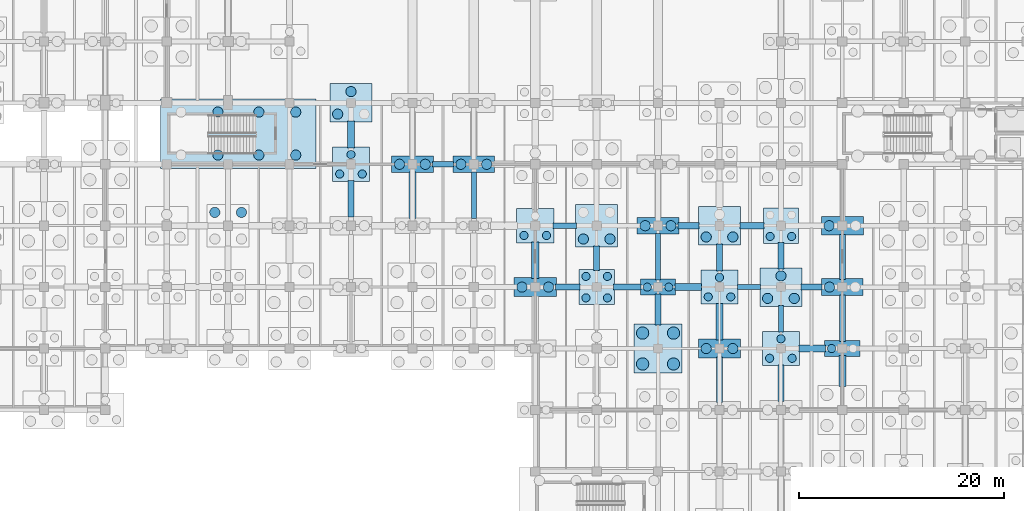
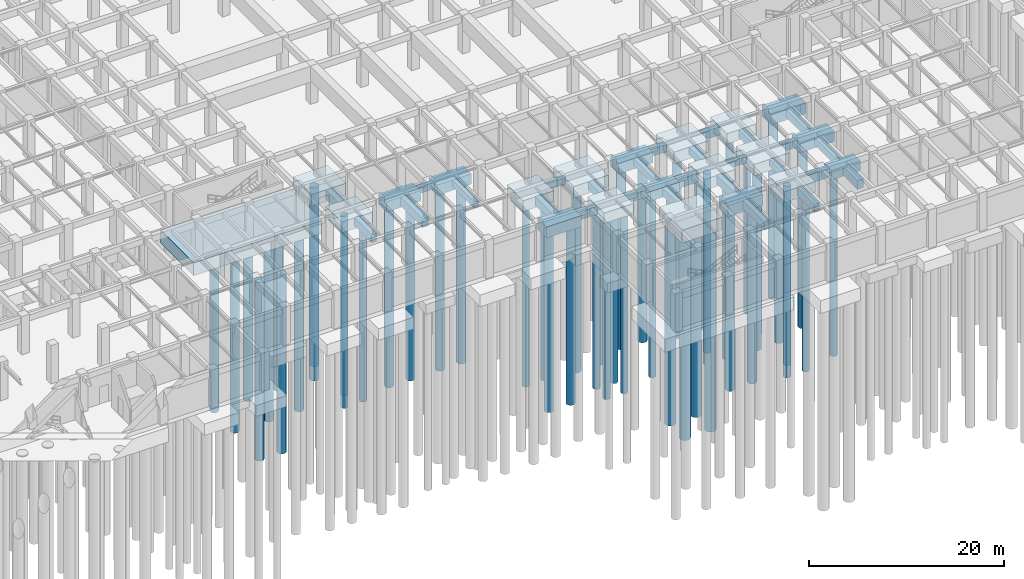
# One storey, part 6 of 54: 53 piles, 48 footings.
"""IFC4 building model written with IfcOpenShell, lengths in metres."""

from ifc_helpers import new_model, si_unit, direction, frame, origin, origin_2d, place, context, subcontext, project, spatial, rectangle, circle, extrude, material, material_profile, profile_set, type_object, element, save


model = new_model("IFC4")

# Units and contexts
model_context = context("Model", 3, precision=1e-05, world=origin(), true_north=direction((0.0, 1.0)))
body_context = subcontext(model_context, "Body", "Model", "MODEL_VIEW")
ifc_project = project(units=[si_unit("LENGTHUNIT", "METRE"), si_unit("AREAUNIT", "SQUARE_METRE"), si_unit("VOLUMEUNIT", "CUBIC_METRE"), si_unit("PLANEANGLEUNIT", "RADIAN"), si_unit("MASSUNIT", "GRAM", prefix="KILO"), si_unit("THERMODYNAMICTEMPERATUREUNIT", "KELVIN"), si_unit("POWERUNIT", "WATT")], contexts=[model_context])

# Site, building, storey
site_placement = place(None, origin())
site = spatial("IfcSite", under=ifc_project, at=site_placement, CompositionType="ELEMENT")
building_placement = place(site_placement, origin())
building = spatial("IfcBuilding", under=site, at=building_placement, Name="Phaisarnlok Congress Hotel", CompositionType="ELEMENT")
storey_placement = place(building_placement, frame((0.0, 0.0, -4.800048828125)))
storey = spatial("IfcBuildingStorey", under=building, at=storey_placement, Name="B01", CompositionType="ELEMENT", Elevation=-4.800048828125)

# Footings
ifc_material_1 = material(Name="Concrete C40/50", Category="concrete")
footing_type_1 = type_object("IfcFootingType", Name="CAP-2P-A", PredefinedType="PILE_CAP", material=ifc_material_1)
for number, where, z_axis, x_axis, name in (
    (1, (108.0, 24.0, -1.69970703125), (0.0, 0.0, 1.0), (1.0, 0.0, 0.0), "Pile cap PC-01 at (108,24)"),
    (2, (126.0, 18.0, -1.69970703125), (0.0, 0.0, 1.0), (1.0, 0.0, 0.0), "Pile cap PC-01 at (126,18)"),
):
    element("IfcFooting", number, at=place(storey_placement, frame(where, z_axis=z_axis, x_axis=x_axis)), inside=storey, type_object=footing_type_1, Name=name, PredefinedType="PILE_CAP", context=body_context, shape_type="SweptSolid", body=[
        extrude(rectangle(XDim=3.43994140625, YDim=1.5400390625, at=origin_2d()), origin(), (0.0, 0.0, 1.0), 1.199951171875),
    ])
footing_type_2 = type_object("IfcFootingType", Name="CAP-2P-B", PredefinedType="PILE_CAP", material=ifc_material_1)
for number, where, z_axis, x_axis, name in (
    (3, (84.0, 36.0, -1.7998046875), (0.0, 0.0, 1.0), (1.0, 0.0, 0.0), "Pile cap PC-02 at (84,36)"),
    (4, (90.0, 36.0, -1.7998046875), (0.0, 0.0, 1.0), (1.0, 0.0, 0.0), "Pile cap PC-02 at (90,36)"),
    (5, (108.0, 30.0, -1.7998046875), (0.0, 0.0, 1.0), (1.0, 0.0, 0.0), "Pile cap PC-02 at (108,30)"),
    (6, (126.0, 24.0, -1.7998046875), (0.0, 0.0, 1.0), (1.0, 0.0, 0.0), "Pile cap PC-02 at (126,24)"),
):
    element("IfcFooting", number, at=place(storey_placement, frame(where, z_axis=z_axis, x_axis=x_axis)), inside=storey, type_object=footing_type_2, Name=name, PredefinedType="PILE_CAP", context=body_context, shape_type="SweptSolid", body=[
        extrude(rectangle(XDim=4.080078125, YDim=1.639892578125, at=origin_2d()), origin(), (0.0, 0.0, 1.0), 1.300048828125),
    ])
footing_type_3 = type_object("IfcFootingType", Name="CAP-2P-C", PredefinedType="PILE_CAP", material=ifc_material_1)
for number, where, z_axis, x_axis, name in (
    (7, (96.0, 24.0, -1.89990234375), (0.0, 0.0, 1.0), (1.0, 0.0, 0.0), "Pile cap PC-03 at (96,24)"),
    (8, (114.0, 18.0, -1.89990234375), (0.0, 0.0, 1.0), (1.0, 0.0, 0.0), "Pile cap PC-03 at (114,18)"),
    (9, (126.0, 30.0, -1.89990234375), (0.0, 0.0, 1.0), (1.0, 0.0, 0.0), "Pile cap PC-03 at (126,30)"),
):
    element("IfcFooting", number, at=place(storey_placement, frame(where, z_axis=z_axis, x_axis=x_axis)), inside=storey, type_object=footing_type_3, Name=name, PredefinedType="PILE_CAP", context=body_context, shape_type="SweptSolid", body=[
        extrude(rectangle(XDim=4.1201171875, YDim=1.840087890625, at=origin_2d()), origin(), (0.0, 0.0, 1.0), 1.39990234375),
    ])
footing_type_4 = type_object("IfcFootingType", Name="CAP-3P-A", PredefinedType="PILE_CAP", material=ifc_material_1)
for number, where, z_axis, x_axis, name in (
    (10, (78.0, 36.0, -1.85009765625), (0.0, 0.0, 1.0), (1.0, 0.0, 0.0), "Pile cap PC-04 at (78,36)"),
    (11, (96.0, 30.0, -1.85009765625), (0.0, 0.0, 1.0), (1.0, 0.0, 0.0), "Pile cap PC-04 at (96,30)"),
    (12, (114.0, 24.0, -1.85009765625), (0.0, 0.0, 1.0), (1.0, 0.0, 0.0), "Pile cap PC-04 at (114,24)"),
    (13, (120.0, 18.0, -1.85009765625), (0.0, 0.0, 1.0), (1.0, 0.0, 0.0), "Pile cap PC-04 at (120,18)"),
):
    element("IfcFooting", number, at=place(storey_placement, frame(where, z_axis=z_axis, x_axis=x_axis)), inside=storey, type_object=footing_type_4, Name=name, PredefinedType="PILE_CAP", context=body_context, shape_type="SweptSolid", body=[
        extrude(rectangle(XDim=3.639892578125, YDim=3.340087890625, at=origin_2d()), origin(), (0.0, 0.0, 1.0), 1.35009765625),
    ])
footing_type_5 = type_object("IfcFootingType", Name="CAP-3P-B", PredefinedType="PILE_CAP", material=ifc_material_1)
for number, where, z_axis, x_axis, name in (
    (14, (78.0, 42.0, -1.94970703125), (0.0, 0.0, 1.0), (1.0, 0.0, 0.0), "Pile cap PC-05 at (78,42)"),
    (15, (114.0, 30.0, -1.94970703125), (0.0, 0.0, 1.0), (1.0, 0.0, 0.0), "Pile cap PC-05 at (114,30)"),
    (16, (120.0, 24.0, -1.94970703125), (0.0, 0.0, 1.0), (1.0, 0.0, 0.0), "Pile cap PC-05 at (120,24)"),
):
    element("IfcFooting", number, at=place(storey_placement, frame(where, z_axis=z_axis, x_axis=x_axis)), inside=storey, type_object=footing_type_5, Name=name, PredefinedType="PILE_CAP", context=body_context, shape_type="SweptSolid", body=[
        extrude(rectangle(XDim=4.1201171875, YDim=3.739990234375, at=origin_2d()), origin(), (0.0, 0.0, 1.0), 1.449951171875),
    ])
footing_type_6 = type_object("IfcFootingType", Name="CAP-4P-A", PredefinedType="PILE_CAP", material=ifc_material_1)
for number, where, z_axis, x_axis, name in (
    (17, (102.0, 24.0, -1.7998046875), (0.0, 0.0, 1.0), (1.0, 0.0, 0.0), "Pile cap PC-06 at (102,24)"),
    (18, (120.0, 30.0, -1.7998046875), (0.0, 0.0, 1.0), (1.0, 0.0, 0.0), "Pile cap PC-06 at (120,30)"),
):
    element("IfcFooting", number, at=place(storey_placement, frame(where, z_axis=z_axis, x_axis=x_axis)), inside=storey, type_object=footing_type_6, Name=name, PredefinedType="PILE_CAP", context=body_context, shape_type="SweptSolid", body=[
        extrude(rectangle(XDim=3.43994140625, YDim=3.43994140625, at=origin_2d()), origin(), (0.0, 0.0, 1.0), 1.300048828125),
    ])
footing_type_7 = type_object("IfcFootingType", Name="CAP-4P-B", PredefinedType="PILE_CAP", material=ifc_material_1)
footing_1_placement = place(storey_placement, frame((102.0, 30.0, -1.94970703125), z_axis=(0.0, 0.0, 1.0), x_axis=(1.0, 0.0, 0.0)))
element("IfcFooting", 19, at=footing_1_placement, inside=storey, type_object=footing_type_7, Name="Pile cap PC-07 at (102,30)", PredefinedType="PILE_CAP", context=body_context, shape_type="SweptSolid", body=[
    extrude(rectangle(XDim=4.1201171875, YDim=4.1201171875, at=origin_2d()), origin(), (0.0, 0.0, 1.0), 1.449951171875),
])
footing_type_8 = type_object("IfcFootingType", Name="CAP-4P-C", PredefinedType="PILE_CAP", material=ifc_material_1)
footing_2_placement = place(storey_placement, frame((108.0, 18.0, -2.10009765625), z_axis=(0.0, 0.0, 1.0), x_axis=(1.0, 0.0, 0.0)))
element("IfcFooting", 20, at=footing_2_placement, inside=storey, type_object=footing_type_8, Name="Pile cap PC-08 at (108,18)", PredefinedType="PILE_CAP", context=body_context, shape_type="SweptSolid", body=[
    extrude(rectangle(XDim=4.719970703125, YDim=4.760009765625, at=origin_2d()), origin(), (0.0, 0.0, 1.0), 1.60009765625),
])
footing_type_9 = type_object("IfcFootingType", Name="CAP-STAIR-H", PredefinedType="PILE_CAP", material=ifc_material_1)
footing_3_placement = place(storey_placement, frame((67.0, 39.0, -2.10009765625), z_axis=(0.0, 0.0, 1.0), x_axis=(1.0, 0.0, 0.0)))
element("IfcFooting", 21, at=footing_3_placement, inside=storey, type_object=footing_type_9, Name="Stair core pile cap PC-17 (STAIR-POD-S)", PredefinedType="PILE_CAP", context=body_context, shape_type="SweptSolid", body=[
    extrude(rectangle(XDim=15.199951171875, YDim=6.800048828125, at=origin_2d()), origin(), (0.0, 0.0, 1.0), 1.60009765625),
])
ifc_material_profile_1 = material_profile(ifc_material_1, rectangle(XDim=0.5, YDim=0.800048828125, at=origin_2d()), Name="FB-500x800")
ifc_profile_set_1 = profile_set([ifc_material_profile_1], Name="Concrete C40/50")
footing_type_10 = type_object("IfcFootingType", Name="FB-500x800", PredefinedType="FOOTING_BEAM", material=ifc_profile_set_1)
footing_4_placement = place(storey_placement, frame((85.965087890625, 36.0, -0.89990234375), z_axis=(1.0, 0.0, 0.0), x_axis=(0.0, 1.0, 0.0)))
element("IfcFooting", 22, at=footing_4_placement, inside=storey, type_object=footing_type_10, Name="Ground tie beam FB-01", PredefinedType="FOOTING_BEAM", context=body_context, shape_type="SweptSolid", body=[
    extrude(rectangle(XDim=0.5, YDim=0.800048828125, at=origin_2d()), origin(), (0.0, 0.0, 1.0), 2.06982421875),
])
footing_5_placement = place(storey_placement, frame((90.0, 30.695068359375, -0.89990234375), z_axis=(0.0, 1.0, 0.0), x_axis=(-1.0, 0.0, 0.0)))
element("IfcFooting", 23, at=footing_5_placement, inside=storey, type_object=footing_type_10, Name="Ground tie beam FB-01", PredefinedType="FOOTING_BEAM", context=body_context, shape_type="SweptSolid", body=[
    extrude(rectangle(XDim=0.5, YDim=0.800048828125, at=origin_2d()), origin(), (0.0, 0.0, 1.0), 4.559814453125),
])
footing_6_placement = place(storey_placement, frame((97.7451171875, 30.0, -0.89990234375), z_axis=(1.0, 0.0, 0.0), x_axis=(0.0, 1.0, 0.0)))
element("IfcFooting", 24, at=footing_6_placement, inside=storey, type_object=footing_type_10, Name="Ground tie beam FB-01", PredefinedType="FOOTING_BEAM", context=body_context, shape_type="SweptSolid", body=[
    extrude(rectangle(XDim=0.5, YDim=0.800048828125, at=origin_2d()), origin(), (0.0, 0.0, 1.0), 2.269775390625),
])
footing_7_placement = place(storey_placement, frame((108.0, 24.695068359375, -0.89990234375), z_axis=(0.0, 1.0, 0.0), x_axis=(-1.0, 0.0, 0.0)))
element("IfcFooting", 25, at=footing_7_placement, inside=storey, type_object=footing_type_10, Name="Ground tie beam FB-01", PredefinedType="FOOTING_BEAM", context=body_context, shape_type="SweptSolid", body=[
    extrude(rectangle(XDim=0.5, YDim=0.800048828125, at=origin_2d()), origin(), (0.0, 0.0, 1.0), 4.559814453125),
])
footing_8_placement = place(storey_placement, frame((115.7451171875, 24.0, -0.89990234375), z_axis=(1.0, 0.0, 0.0), x_axis=(0.0, 1.0, 0.0)))
element("IfcFooting", 26, at=footing_8_placement, inside=storey, type_object=footing_type_10, Name="Ground tie beam FB-01", PredefinedType="FOOTING_BEAM", context=body_context, shape_type="SweptSolid", body=[
    extrude(rectangle(XDim=0.5, YDim=0.800048828125, at=origin_2d()), origin(), (0.0, 0.0, 1.0), 2.269775390625),
])
footing_9_placement = place(storey_placement, frame((120.0, 19.594970703125, -0.89990234375), z_axis=(0.0, 1.0, 0.0), x_axis=(-1.0, 0.0, 0.0)))
element("IfcFooting", 27, at=footing_9_placement, inside=storey, type_object=footing_type_10, Name="Ground tie beam FB-01", PredefinedType="FOOTING_BEAM", context=body_context, shape_type="SweptSolid", body=[
    extrude(rectangle(XDim=0.5, YDim=0.800048828125, at=origin_2d()), origin(), (0.0, 0.0, 1.0), 2.610107421875),
])
ifc_material_profile_2 = material_profile(ifc_material_1, rectangle(XDim=0.60009765625, YDim=1.0, at=origin_2d()), Name="FB-600x1000")
ifc_profile_set_2 = profile_set([ifc_material_profile_2], Name="Concrete C40/50")
footing_type_11 = type_object("IfcFootingType", Name="FB-600x1000", PredefinedType="FOOTING_BEAM", material=ifc_profile_set_2)
footing_10_placement = place(storey_placement, frame((78.0, 30.844970703125, -1.0), z_axis=(0.0, 1.0, 0.0), x_axis=(-1.0, 0.0, 0.0)))
element("IfcFooting", 28, at=footing_10_placement, inside=storey, type_object=footing_type_11, Name="Ground tie beam FB-03", PredefinedType="FOOTING_BEAM", context=body_context, shape_type="SweptSolid", body=[
    extrude(rectangle(XDim=0.60009765625, YDim=1.0, at=origin_2d()), origin(), (0.0, 0.0, 1.0), 3.56005859375),
])
for number, where, z_axis, x_axis, name in (
    (29, (97.985107421875, 24.0, -1.0), (1.0, 0.0, 0.0), (0.0, 1.0, 0.0), "Ground tie beam FB-03"),
    (30, (102.0, 25.64501953125, -1.0), (0.0, 1.0, 0.0), (-1.0, 0.0, 0.0), "Ground tie beam FB-03"),
):
    element("IfcFooting", number, at=place(storey_placement, frame(where, z_axis=z_axis, x_axis=x_axis)), inside=storey, type_object=footing_type_11, Name=name, PredefinedType="FOOTING_BEAM", context=body_context, shape_type="SweptSolid", body=[
        extrude(rectangle(XDim=0.60009765625, YDim=1.0, at=origin_2d()), origin(), (0.0, 0.0, 1.0), 2.369873046875),
    ])
footing_11_placement = place(storey_placement, frame((108.0, 20.304931640625, -1.0), z_axis=(0.0, 1.0, 0.0), x_axis=(-1.0, 0.0, 0.0)))
element("IfcFooting", 31, at=footing_11_placement, inside=storey, type_object=footing_type_11, Name="Ground tie beam FB-03", PredefinedType="FOOTING_BEAM", context=body_context, shape_type="SweptSolid", body=[
    extrude(rectangle(XDim=0.60009765625, YDim=1.0, at=origin_2d()), origin(), (0.0, 0.0, 1.0), 3.0),
])
footing_12_placement = place(storey_placement, frame((114.0, 12.7451171875, -1.0), z_axis=(0.0, 1.0, 0.0), x_axis=(-1.0, 0.0, 0.0)))
element("IfcFooting", 32, at=footing_12_placement, inside=storey, type_object=footing_type_11, Name="Ground tie beam FB-03", PredefinedType="FOOTING_BEAM", context=body_context, shape_type="SweptSolid", body=[
    extrude(rectangle(XDim=0.60009765625, YDim=1.0, at=origin_2d()), origin(), (0.0, 0.0, 1.0), 4.409912109375),
])
footing_13_placement = place(storey_placement, frame((115.985107421875, 30.0, -1.0), z_axis=(1.0, 0.0, 0.0), x_axis=(0.0, 1.0, 0.0)))
element("IfcFooting", 33, at=footing_13_placement, inside=storey, type_object=footing_type_11, Name="Ground tie beam FB-03", PredefinedType="FOOTING_BEAM", context=body_context, shape_type="SweptSolid", body=[
    extrude(rectangle(XDim=0.60009765625, YDim=1.0, at=origin_2d()), origin(), (0.0, 0.0, 1.0), 2.369873046875),
])
footing_14_placement = place(storey_placement, frame((120.0, 12.844970703125, -1.0), z_axis=(0.0, 1.0, 0.0), x_axis=(-1.0, 0.0, 0.0)))
element("IfcFooting", 34, at=footing_14_placement, inside=storey, type_object=footing_type_11, Name="Ground tie beam FB-03", PredefinedType="FOOTING_BEAM", context=body_context, shape_type="SweptSolid", body=[
    extrude(rectangle(XDim=0.60009765625, YDim=1.0, at=origin_2d()), origin(), (0.0, 0.0, 1.0), 3.56005859375),
])
footing_15_placement = place(storey_placement, frame((120.0, 25.794921875, -1.0), z_axis=(0.0, 1.0, 0.0), x_axis=(-1.0, 0.0, 0.0)))
element("IfcFooting", 35, at=footing_15_placement, inside=storey, type_object=footing_type_11, Name="Ground tie beam FB-03", PredefinedType="FOOTING_BEAM", context=body_context, shape_type="SweptSolid", body=[
    extrude(rectangle(XDim=0.60009765625, YDim=1.0, at=origin_2d()), origin(), (0.0, 0.0, 1.0), 2.56005859375),
])
footing_16_placement = place(storey_placement, frame((126.0, 24.7451171875, -1.0), z_axis=(0.0, 1.0, 0.0), x_axis=(-1.0, 0.0, 0.0)))
element("IfcFooting", 36, at=footing_16_placement, inside=storey, type_object=footing_type_11, Name="Ground tie beam FB-03", PredefinedType="FOOTING_BEAM", context=body_context, shape_type="SweptSolid", body=[
    extrude(rectangle(XDim=0.60009765625, YDim=1.0, at=origin_2d()), origin(), (0.0, 0.0, 1.0), 4.409912109375),
])
ifc_material_profile_3 = material_profile(ifc_material_1, rectangle(XDim=0.60009765625, YDim=0.89990234375, at=origin_2d()), Name="FB-600x900")
ifc_profile_set_3 = profile_set([ifc_material_profile_3], Name="Concrete C40/50")
footing_type_12 = type_object("IfcFootingType", Name="FB-600x900", PredefinedType="FOOTING_BEAM", material=ifc_profile_set_3)
footing_17_placement = place(storey_placement, frame((103.64501953125, 24.0, -0.949951171875), z_axis=(1.0, 0.0, 0.0), x_axis=(0.0, 1.0, 0.0)))
element("IfcFooting", 37, at=footing_17_placement, inside=storey, type_object=footing_type_12, Name="Ground tie beam FB-02", PredefinedType="FOOTING_BEAM", context=body_context, shape_type="SweptSolid", body=[
    extrude(rectangle(XDim=0.60009765625, YDim=0.89990234375, at=origin_2d()), origin(), (0.0, 0.0, 1.0), 2.7099609375),
])
footing_18_placement = place(storey_placement, frame((109.965087890625, 30.0, -0.949951171875), z_axis=(1.0, 0.0, 0.0), x_axis=(0.0, 1.0, 0.0)))
element("IfcFooting", 38, at=footing_18_placement, inside=storey, type_object=footing_type_12, Name="Ground tie beam FB-02", PredefinedType="FOOTING_BEAM", context=body_context, shape_type="SweptSolid", body=[
    extrude(rectangle(XDim=0.60009765625, YDim=0.89990234375, at=origin_2d()), origin(), (0.0, 0.0, 1.0), 2.0498046875),
])
footing_19_placement = place(storey_placement, frame((114.0, 25.594970703125, -0.949951171875), z_axis=(0.0, 1.0, 0.0), x_axis=(-1.0, 0.0, 0.0)))
element("IfcFooting", 39, at=footing_19_placement, inside=storey, type_object=footing_type_12, Name="Ground tie beam FB-02", PredefinedType="FOOTING_BEAM", context=body_context, shape_type="SweptSolid", body=[
    extrude(rectangle(XDim=0.60009765625, YDim=0.89990234375, at=origin_2d()), origin(), (0.0, 0.0, 1.0), 2.610107421875),
])
footing_20_placement = place(storey_placement, frame((121.985107421875, 24.0, -0.949951171875), z_axis=(1.0, 0.0, 0.0), x_axis=(0.0, 1.0, 0.0)))
element("IfcFooting", 40, at=footing_20_placement, inside=storey, type_object=footing_type_12, Name="Ground tie beam FB-02", PredefinedType="FOOTING_BEAM", context=body_context, shape_type="SweptSolid", body=[
    extrude(rectangle(XDim=0.60009765625, YDim=0.89990234375, at=origin_2d()), origin(), (0.0, 0.0, 1.0), 2.0498046875),
])
footing_21_placement = place(storey_placement, frame((126.0, 18.695068359375, -0.949951171875), z_axis=(0.0, 1.0, 0.0), x_axis=(-1.0, 0.0, 0.0)))
element("IfcFooting", 41, at=footing_21_placement, inside=storey, type_object=footing_type_12, Name="Ground tie beam FB-02", PredefinedType="FOOTING_BEAM", context=body_context, shape_type="SweptSolid", body=[
    extrude(rectangle(XDim=0.60009765625, YDim=0.89990234375, at=origin_2d()), origin(), (0.0, 0.0, 1.0), 4.559814453125),
])
ifc_material_profile_4 = material_profile(ifc_material_1, rectangle(XDim=0.699951171875, YDim=1.10009765625, at=origin_2d()), Name="FB-700x1100")
ifc_profile_set_4 = profile_set([ifc_material_profile_4], Name="Concrete C40/50")
footing_type_13 = type_object("IfcFootingType", Name="FB-700x1100", PredefinedType="FOOTING_BEAM", material=ifc_profile_set_4)
footing_22_placement = place(storey_placement, frame((78.0, 37.594970703125, -1.050048828125), z_axis=(0.0, 1.0, 0.0), x_axis=(-1.0, 0.0, 0.0)))
element("IfcFooting", 42, at=footing_22_placement, inside=storey, type_object=footing_type_13, Name="Ground tie beam FB-04", PredefinedType="FOOTING_BEAM", context=body_context, shape_type="SweptSolid", body=[
    extrude(rectangle(XDim=0.699951171875, YDim=1.10009765625, at=origin_2d()), origin(), (0.0, 0.0, 1.0), 2.610107421875),
])
footing_23_placement = place(storey_placement, frame((84.0, 30.695068359375, -1.050048828125), z_axis=(0.0, 1.0, 0.0), x_axis=(-1.0, 0.0, 0.0)))
element("IfcFooting", 43, at=footing_23_placement, inside=storey, type_object=footing_type_13, Name="Ground tie beam FB-04", PredefinedType="FOOTING_BEAM", context=body_context, shape_type="SweptSolid", body=[
    extrude(rectangle(XDim=0.699951171875, YDim=1.10009765625, at=origin_2d()), origin(), (0.0, 0.0, 1.0), 4.559814453125),
])
footing_24_placement = place(storey_placement, frame((96.0, 24.844970703125, -1.050048828125), z_axis=(0.0, 1.0, 0.0), x_axis=(-1.0, 0.0, 0.0)))
element("IfcFooting", 44, at=footing_24_placement, inside=storey, type_object=footing_type_13, Name="Ground tie beam FB-04", PredefinedType="FOOTING_BEAM", context=body_context, shape_type="SweptSolid", body=[
    extrude(rectangle(XDim=0.699951171875, YDim=1.10009765625, at=origin_2d()), origin(), (0.0, 0.0, 1.0), 3.56005859375),
])
footing_25_placement = place(storey_placement, frame((109.64501953125, 24.0, -1.050048828125), z_axis=(1.0, 0.0, 0.0), x_axis=(0.0, 1.0, 0.0)))
element("IfcFooting", 45, at=footing_25_placement, inside=storey, type_object=footing_type_13, Name="Ground tie beam FB-04", PredefinedType="FOOTING_BEAM", context=body_context, shape_type="SweptSolid", body=[
    extrude(rectangle(XDim=0.699951171875, YDim=1.10009765625, at=origin_2d()), origin(), (0.0, 0.0, 1.0), 2.60986328125),
])
footing_26_placement = place(storey_placement, frame((114.0, 18.844970703125, -1.050048828125), z_axis=(0.0, 1.0, 0.0), x_axis=(-1.0, 0.0, 0.0)))
element("IfcFooting", 46, at=footing_26_placement, inside=storey, type_object=footing_type_13, Name="Ground tie beam FB-04", PredefinedType="FOOTING_BEAM", context=body_context, shape_type="SweptSolid", body=[
    extrude(rectangle(XDim=0.699951171875, YDim=1.10009765625, at=origin_2d()), origin(), (0.0, 0.0, 1.0), 3.56005859375),
])
footing_27_placement = place(storey_placement, frame((121.7451171875, 18.0, -1.050048828125), z_axis=(1.0, 0.0, 0.0), x_axis=(0.0, 1.0, 0.0)))
element("IfcFooting", 47, at=footing_27_placement, inside=storey, type_object=footing_type_13, Name="Ground tie beam FB-04", PredefinedType="FOOTING_BEAM", context=body_context, shape_type="SweptSolid", body=[
    extrude(rectangle(XDim=0.699951171875, YDim=1.10009765625, at=origin_2d()), origin(), (0.0, 0.0, 1.0), 2.60986328125),
])
footing_28_placement = place(storey_placement, frame((126.0, 14.304931640625, -1.050048828125), z_axis=(0.0, 1.0, 0.0), x_axis=(-1.0, 0.0, 0.0)))
element("IfcFooting", 48, at=footing_28_placement, inside=storey, type_object=footing_type_13, Name="Ground tie beam FB-04", PredefinedType="FOOTING_BEAM", context=body_context, shape_type="SweptSolid", body=[
    extrude(rectangle(XDim=0.699951171875, YDim=1.10009765625, at=origin_2d()), origin(), (0.0, 0.0, 1.0), 3.0),
])

# Piles
ifc_material_2 = material(Name="Concrete C35/45", Category="concrete")
ifc_material_profile_5 = material_profile(ifc_material_2, circle(Radius=0.5, at=origin_2d()), Name="BORED PILE D1000")
ifc_profile_set_5 = profile_set([ifc_material_profile_5], Name="Concrete C35/45")
pile_type_1 = type_object("IfcPileType", Name="PILE-D1000", PredefinedType="BORED", material=ifc_profile_set_5)
for number, where, z_axis, x_axis, name in (
    (49, (65.0, 36.89990234375, -2.0), (0.0, 0.0, -1.0), (1.0, 0.0, 0.0), "Bored pile PL-02 (STAIR-POD-S-03)"),
    (50, (65.0, 41.10009765625, -2.0), (0.0, 0.0, -1.0), (1.0, 0.0, 0.0), "Bored pile PL-02 (STAIR-POD-S-04)"),
    (51, (69.0, 36.89990234375, -2.0), (0.0, 0.0, -1.0), (1.0, 0.0, 0.0), "Bored pile PL-02 (STAIR-POD-S-05)"),
    (52, (69.0, 41.10009765625, -2.0), (0.0, 0.0, -1.0), (1.0, 0.0, 0.0), "Bored pile PL-02 (STAIR-POD-S-06)"),
    (53, (72.60009765625, 36.89990234375, -2.0), (0.0, 0.0, -1.0), (1.0, 0.0, 0.0), "Bored pile PL-02 (STAIR-POD-S-07)"),
    (54, (72.60009765625, 41.10009765625, -2.0), (0.0, 0.0, -1.0), (1.0, 0.0, 0.0), "Bored pile PL-02 (STAIR-POD-S-08)"),
):
    element("IfcPile", number, at=place(storey_placement, frame(where, z_axis=z_axis, x_axis=x_axis)), inside=storey, type_object=pile_type_1, Name=name, PredefinedType="BORED", context=body_context, shape_type="SweptSolid", body=[
        extrude(circle(Radius=0.5, at=origin_2d()), origin(), (0.0, 0.0, 1.0), 22.199951171875),
    ])
for number, where, z_axis, x_axis, name in (
    (55, (64.699951171875, 31.300048828125, -1.849853515625), (0.0, 0.0, -1.0), (1.0, 0.0, 0.0), "Bored pile PL-02 (FTG-B01-066-030-3)"),
    (56, (67.300048828125, 31.300048828125, -1.849853515625), (0.0, 0.0, -1.0), (1.0, 0.0, 0.0), "Bored pile PL-02 (FTG-B01-066-030-4)"),
    (57, (76.699951171875, 40.89990234375, -1.849853515625), (0.0, 0.0, -1.0), (1.0, 0.0, 0.0), "Bored pile PL-02 (FTG-B01-078-042-1)"),
    (58, (78.0, 43.10009765625, -1.849853515625), (0.0, 0.0, -1.0), (1.0, 0.0, 0.0), "Bored pile PL-02 (FTG-B01-078-042-3)"),
):
    element("IfcPile", number, at=place(storey_placement, frame(where, z_axis=z_axis, x_axis=x_axis)), inside=storey, type_object=pile_type_1, Name=name, PredefinedType="BORED", context=body_context, shape_type="SweptSolid", body=[
        extrude(circle(Radius=0.5, at=origin_2d()), origin(), (0.0, 0.0, 1.0), 22.35009765625),
    ])
for number, where, z_axis, x_axis, name in (
    (59, (82.739990234375, 36.0, -1.699951171875), (0.0, 0.0, -1.0), (1.0, 0.0, 0.0), "Bored pile PL-02 (FTG-B01-084-036-1)"),
    (60, (85.260009765625, 36.0, -1.699951171875), (0.0, 0.0, -1.0), (1.0, 0.0, 0.0), "Bored pile PL-02 (FTG-B01-084-036-2)"),
    (61, (88.739990234375, 36.0, -1.699951171875), (0.0, 0.0, -1.0), (1.0, 0.0, 0.0), "Bored pile PL-02 (FTG-B01-090-036-1)"),
    (62, (91.260009765625, 36.0, -1.699951171875), (0.0, 0.0, -1.0), (1.0, 0.0, 0.0), "Bored pile PL-02 (FTG-B01-090-036-2)"),
):
    element("IfcPile", number, at=place(storey_placement, frame(where, z_axis=z_axis, x_axis=x_axis)), inside=storey, type_object=pile_type_1, Name=name, PredefinedType="BORED", context=body_context, shape_type="SweptSolid", body=[
        extrude(circle(Radius=0.5, at=origin_2d()), origin(), (0.0, 0.0, 1.0), 22.5),
    ])
for number, where, z_axis, x_axis, name in (
    (63, (94.699951171875, 24.0, -1.800048828125), (0.0, 0.0, -1.0), (1.0, 0.0, 0.0), "Bored pile PL-02 (FTG-B01-096-024-1)"),
    (64, (97.300048828125, 24.0, -1.800048828125), (0.0, 0.0, -1.0), (1.0, 0.0, 0.0), "Bored pile PL-02 (FTG-B01-096-024-2)"),
):
    element("IfcPile", number, at=place(storey_placement, frame(where, z_axis=z_axis, x_axis=x_axis)), inside=storey, type_object=pile_type_1, Name=name, PredefinedType="BORED", context=body_context, shape_type="SweptSolid", body=[
        extrude(circle(Radius=0.5, at=origin_2d()), origin(), (0.0, 0.0, 1.0), 22.39990234375),
    ])
for number, where, z_axis, x_axis, name in (
    (65, (100.699951171875, 28.699951171875, -1.849853515625), (0.0, 0.0, -1.0), (1.0, 0.0, 0.0), "Bored pile PL-02 (FTG-B01-102-030-1)"),
    (66, (103.300048828125, 28.699951171875, -1.849853515625), (0.0, 0.0, -1.0), (1.0, 0.0, 0.0), "Bored pile PL-02 (FTG-B01-102-030-2)"),
):
    element("IfcPile", number, at=place(storey_placement, frame(where, z_axis=z_axis, x_axis=x_axis)), inside=storey, type_object=pile_type_1, Name=name, PredefinedType="BORED", context=body_context, shape_type="SweptSolid", body=[
        extrude(circle(Radius=0.5, at=origin_2d()), origin(), (0.0, 0.0, 1.0), 22.35009765625),
    ])
for number, where, z_axis, x_axis, name in (
    (67, (106.739990234375, 30.0, -1.699951171875), (0.0, 0.0, -1.0), (1.0, 0.0, 0.0), "Bored pile PL-02 (FTG-B01-108-030-1)"),
    (68, (109.260009765625, 30.0, -1.699951171875), (0.0, 0.0, -1.0), (1.0, 0.0, 0.0), "Bored pile PL-02 (FTG-B01-108-030-2)"),
):
    element("IfcPile", number, at=place(storey_placement, frame(where, z_axis=z_axis, x_axis=x_axis)), inside=storey, type_object=pile_type_1, Name=name, PredefinedType="BORED", context=body_context, shape_type="SweptSolid", body=[
        extrude(circle(Radius=0.5, at=origin_2d()), origin(), (0.0, 0.0, 1.0), 22.5),
    ])
for number, where, z_axis, x_axis, name in (
    (69, (112.699951171875, 18.0, -1.800048828125), (0.0, 0.0, -1.0), (1.0, 0.0, 0.0), "Bored pile PL-02 (FTG-B01-114-018-1)"),
    (70, (115.300048828125, 18.0, -1.800048828125), (0.0, 0.0, -1.0), (1.0, 0.0, 0.0), "Bored pile PL-02 (FTG-B01-114-018-2)"),
):
    element("IfcPile", number, at=place(storey_placement, frame(where, z_axis=z_axis, x_axis=x_axis)), inside=storey, type_object=pile_type_1, Name=name, PredefinedType="BORED", context=body_context, shape_type="SweptSolid", body=[
        extrude(circle(Radius=0.5, at=origin_2d()), origin(), (0.0, 0.0, 1.0), 22.39990234375),
    ])
for number, where, z_axis, x_axis, name in (
    (71, (112.699951171875, 28.89990234375, -1.849853515625), (0.0, 0.0, -1.0), (1.0, 0.0, 0.0), "Bored pile PL-02 (FTG-B01-114-030-1)"),
    (72, (115.300048828125, 28.89990234375, -1.849853515625), (0.0, 0.0, -1.0), (1.0, 0.0, 0.0), "Bored pile PL-02 (FTG-B01-114-030-2)"),
    (73, (118.699951171875, 22.89990234375, -1.849853515625), (0.0, 0.0, -1.0), (1.0, 0.0, 0.0), "Bored pile PL-02 (FTG-B01-120-024-1)"),
    (74, (121.300048828125, 22.89990234375, -1.849853515625), (0.0, 0.0, -1.0), (1.0, 0.0, 0.0), "Bored pile PL-02 (FTG-B01-120-024-2)"),
    (75, (120.0, 25.10009765625, -1.849853515625), (0.0, 0.0, -1.0), (1.0, 0.0, 0.0), "Bored pile PL-02 (FTG-B01-120-024-3)"),
):
    element("IfcPile", number, at=place(storey_placement, frame(where, z_axis=z_axis, x_axis=x_axis)), inside=storey, type_object=pile_type_1, Name=name, PredefinedType="BORED", context=body_context, shape_type="SweptSolid", body=[
        extrude(circle(Radius=0.5, at=origin_2d()), origin(), (0.0, 0.0, 1.0), 22.35009765625),
    ])
pile_1_placement = place(storey_placement, frame((124.739990234375, 24.0, -1.699951171875), z_axis=(0.0, 0.0, -1.0), x_axis=(1.0, 0.0, 0.0)))
element("IfcPile", 76, at=pile_1_placement, inside=storey, type_object=pile_type_1, Name="Bored pile PL-02 (FTG-B01-126-024-1)", PredefinedType="BORED", context=body_context, shape_type="SweptSolid", body=[
    extrude(circle(Radius=0.5, at=origin_2d()), origin(), (0.0, 0.0, 1.0), 22.5),
])
pile_2_placement = place(storey_placement, frame((124.699951171875, 30.0, -1.800048828125), z_axis=(0.0, 0.0, -1.0), x_axis=(1.0, 0.0, 0.0)))
element("IfcPile", 77, at=pile_2_placement, inside=storey, type_object=pile_type_1, Name="Bored pile PL-02 (FTG-B01-126-030-1)", PredefinedType="BORED", context=body_context, shape_type="SweptSolid", body=[
    extrude(circle(Radius=0.5, at=origin_2d()), origin(), (0.0, 0.0, 1.0), 22.39990234375),
])
ifc_material_profile_6 = material_profile(ifc_material_2, circle(Radius=0.60009765625, at=origin_2d()), Name="BORED PILE D1200")
ifc_profile_set_6 = profile_set([ifc_material_profile_6], Name="Concrete C35/45")
pile_type_2 = type_object("IfcPileType", Name="PILE-D1200", PredefinedType="BORED", material=ifc_profile_set_6)
for number, where, z_axis, x_axis, name in (
    (78, (106.489990234375, 16.489990234375, -2.0), (0.0, 0.0, -1.0), (1.0, 0.0, 0.0), "Bored pile PL-03 (FTG-B01-108-018-1)"),
    (79, (109.510009765625, 16.489990234375, -2.0), (0.0, 0.0, -1.0), (1.0, 0.0, 0.0), "Bored pile PL-03 (FTG-B01-108-018-2)"),
    (80, (106.489990234375, 19.510009765625, -2.0), (0.0, 0.0, -1.0), (1.0, 0.0, 0.0), "Bored pile PL-03 (FTG-B01-108-018-3)"),
    (81, (109.510009765625, 19.510009765625, -2.0), (0.0, 0.0, -1.0), (1.0, 0.0, 0.0), "Bored pile PL-03 (FTG-B01-108-018-4)"),
):
    element("IfcPile", number, at=place(storey_placement, frame(where, z_axis=z_axis, x_axis=x_axis)), inside=storey, type_object=pile_type_2, Name=name, PredefinedType="BORED", context=body_context, shape_type="SweptSolid", body=[
        extrude(circle(Radius=0.60009765625, at=origin_2d()), origin(), (0.0, 0.0, 1.0), 25.199951171875),
    ])
ifc_material_profile_7 = material_profile(ifc_material_2, circle(Radius=0.39990234375, at=origin_2d()), Name="BORED PILE D800")
ifc_profile_set_7 = profile_set([ifc_material_profile_7], Name="Concrete C35/45")
pile_type_3 = type_object("IfcPileType", Name="PILE-D800", PredefinedType="BORED", material=ifc_profile_set_7)
for number, where, z_axis, x_axis, name in (
    (82, (76.89990234375, 35.050048828125, -1.75), (0.0, 0.0, -1.0), (1.0, 0.0, 0.0), "Bored pile PL-01 (FTG-B01-078-036-1)"),
    (83, (79.10009765625, 35.050048828125, -1.75), (0.0, 0.0, -1.0), (1.0, 0.0, 0.0), "Bored pile PL-01 (FTG-B01-078-036-2)"),
    (84, (78.0, 36.949951171875, -1.75), (0.0, 0.0, -1.0), (1.0, 0.0, 0.0), "Bored pile PL-01 (FTG-B01-078-036-3)"),
    (85, (94.89990234375, 29.050048828125, -1.75), (0.0, 0.0, -1.0), (1.0, 0.0, 0.0), "Bored pile PL-01 (FTG-B01-096-030-1)"),
    (86, (97.10009765625, 29.050048828125, -1.75), (0.0, 0.0, -1.0), (1.0, 0.0, 0.0), "Bored pile PL-01 (FTG-B01-096-030-2)"),
):
    element("IfcPile", number, at=place(storey_placement, frame(where, z_axis=z_axis, x_axis=x_axis)), inside=storey, type_object=pile_type_3, Name=name, PredefinedType="BORED", context=body_context, shape_type="SweptSolid", body=[
        extrude(circle(Radius=0.39990234375, at=origin_2d()), origin(), (0.0, 0.0, 1.0), 22.449951171875),
    ])
for number, where, z_axis, x_axis, name in (
    (87, (100.949951171875, 22.949951171875, -1.699951171875), (0.0, 0.0, -1.0), (1.0, 0.0, 0.0), "Bored pile PL-01 (FTG-B01-102-024-1)"),
    (88, (103.050048828125, 22.949951171875, -1.699951171875), (0.0, 0.0, -1.0), (1.0, 0.0, 0.0), "Bored pile PL-01 (FTG-B01-102-024-2)"),
    (89, (100.949951171875, 25.050048828125, -1.699951171875), (0.0, 0.0, -1.0), (1.0, 0.0, 0.0), "Bored pile PL-01 (FTG-B01-102-024-3)"),
    (90, (103.050048828125, 25.050048828125, -1.699951171875), (0.0, 0.0, -1.0), (1.0, 0.0, 0.0), "Bored pile PL-01 (FTG-B01-102-024-4)"),
):
    element("IfcPile", number, at=place(storey_placement, frame(where, z_axis=z_axis, x_axis=x_axis)), inside=storey, type_object=pile_type_3, Name=name, PredefinedType="BORED", context=body_context, shape_type="SweptSolid", body=[
        extrude(circle(Radius=0.39990234375, at=origin_2d()), origin(), (0.0, 0.0, 1.0), 22.5),
    ])
for number, where, z_axis, x_axis, name in (
    (91, (106.949951171875, 24.0, -1.599853515625), (0.0, 0.0, -1.0), (1.0, 0.0, 0.0), "Bored pile PL-01 (FTG-B01-108-024-1)"),
    (92, (109.050048828125, 24.0, -1.599853515625), (0.0, 0.0, -1.0), (1.0, 0.0, 0.0), "Bored pile PL-01 (FTG-B01-108-024-2)"),
):
    element("IfcPile", number, at=place(storey_placement, frame(where, z_axis=z_axis, x_axis=x_axis)), inside=storey, type_object=pile_type_3, Name=name, PredefinedType="BORED", context=body_context, shape_type="SweptSolid", body=[
        extrude(circle(Radius=0.39990234375, at=origin_2d()), origin(), (0.0, 0.0, 1.0), 22.60009765625),
    ])
for number, where, z_axis, x_axis, name in (
    (93, (112.89990234375, 23.050048828125, -1.75), (0.0, 0.0, -1.0), (1.0, 0.0, 0.0), "Bored pile PL-01 (FTG-B01-114-024-1)"),
    (94, (115.10009765625, 23.050048828125, -1.75), (0.0, 0.0, -1.0), (1.0, 0.0, 0.0), "Bored pile PL-01 (FTG-B01-114-024-2)"),
    (95, (114.0, 24.949951171875, -1.75), (0.0, 0.0, -1.0), (1.0, 0.0, 0.0), "Bored pile PL-01 (FTG-B01-114-024-3)"),
    (96, (118.89990234375, 17.050048828125, -1.75), (0.0, 0.0, -1.0), (1.0, 0.0, 0.0), "Bored pile PL-01 (FTG-B01-120-018-1)"),
    (97, (121.10009765625, 17.050048828125, -1.75), (0.0, 0.0, -1.0), (1.0, 0.0, 0.0), "Bored pile PL-01 (FTG-B01-120-018-2)"),
    (98, (120.0, 18.949951171875, -1.75), (0.0, 0.0, -1.0), (1.0, 0.0, 0.0), "Bored pile PL-01 (FTG-B01-120-018-3)"),
):
    element("IfcPile", number, at=place(storey_placement, frame(where, z_axis=z_axis, x_axis=x_axis)), inside=storey, type_object=pile_type_3, Name=name, PredefinedType="BORED", context=body_context, shape_type="SweptSolid", body=[
        extrude(circle(Radius=0.39990234375, at=origin_2d()), origin(), (0.0, 0.0, 1.0), 22.449951171875),
    ])
for number, where, z_axis, x_axis, name in (
    (99, (118.949951171875, 28.949951171875, -1.699951171875), (0.0, 0.0, -1.0), (1.0, 0.0, 0.0), "Bored pile PL-01 (FTG-B01-120-030-1)"),
    (100, (121.050048828125, 28.949951171875, -1.699951171875), (0.0, 0.0, -1.0), (1.0, 0.0, 0.0), "Bored pile PL-01 (FTG-B01-120-030-2)"),
):
    element("IfcPile", number, at=place(storey_placement, frame(where, z_axis=z_axis, x_axis=x_axis)), inside=storey, type_object=pile_type_3, Name=name, PredefinedType="BORED", context=body_context, shape_type="SweptSolid", body=[
        extrude(circle(Radius=0.39990234375, at=origin_2d()), origin(), (0.0, 0.0, 1.0), 22.5),
    ])
pile_3_placement = place(storey_placement, frame((124.949951171875, 18.0, -1.599853515625), z_axis=(0.0, 0.0, -1.0), x_axis=(1.0, 0.0, 0.0)))
element("IfcPile", 101, at=pile_3_placement, inside=storey, type_object=pile_type_3, Name="Bored pile PL-01 (FTG-B01-126-018-1)", PredefinedType="BORED", context=body_context, shape_type="SweptSolid", body=[
    extrude(circle(Radius=0.39990234375, at=origin_2d()), origin(), (0.0, 0.0, 1.0), 22.60009765625),
])

save(model, "model.ifc")
